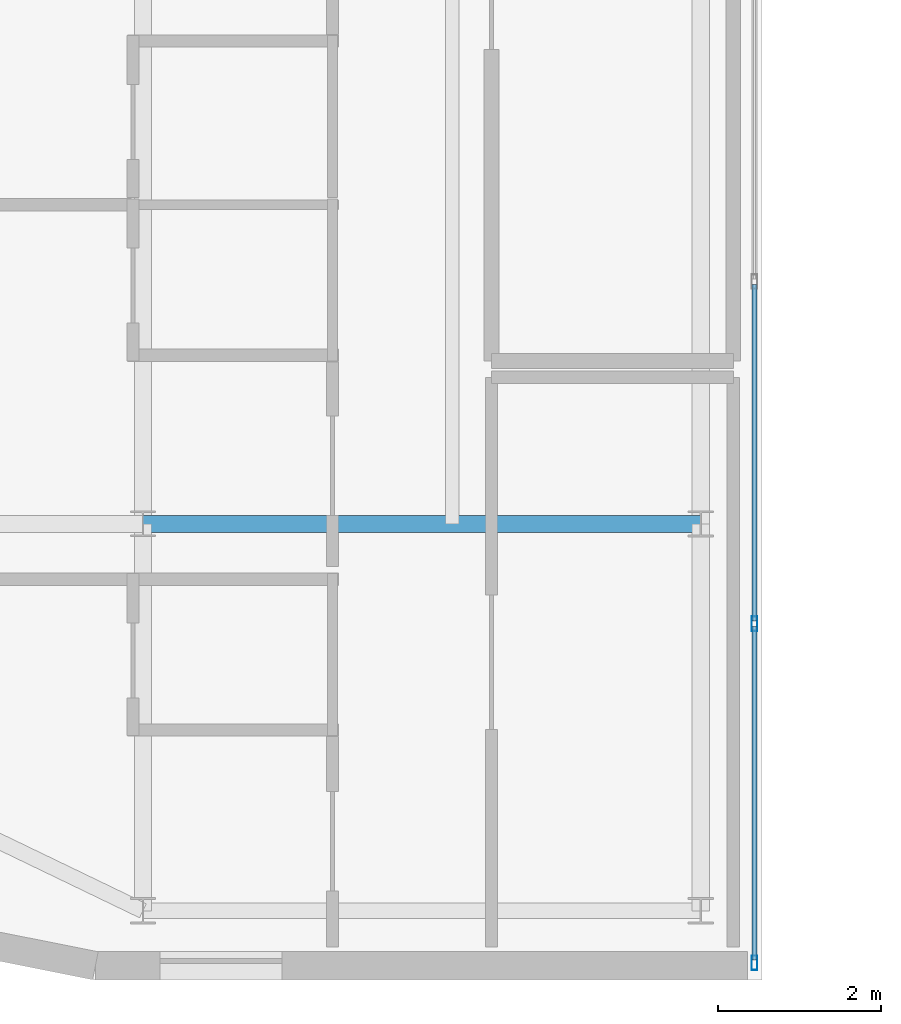
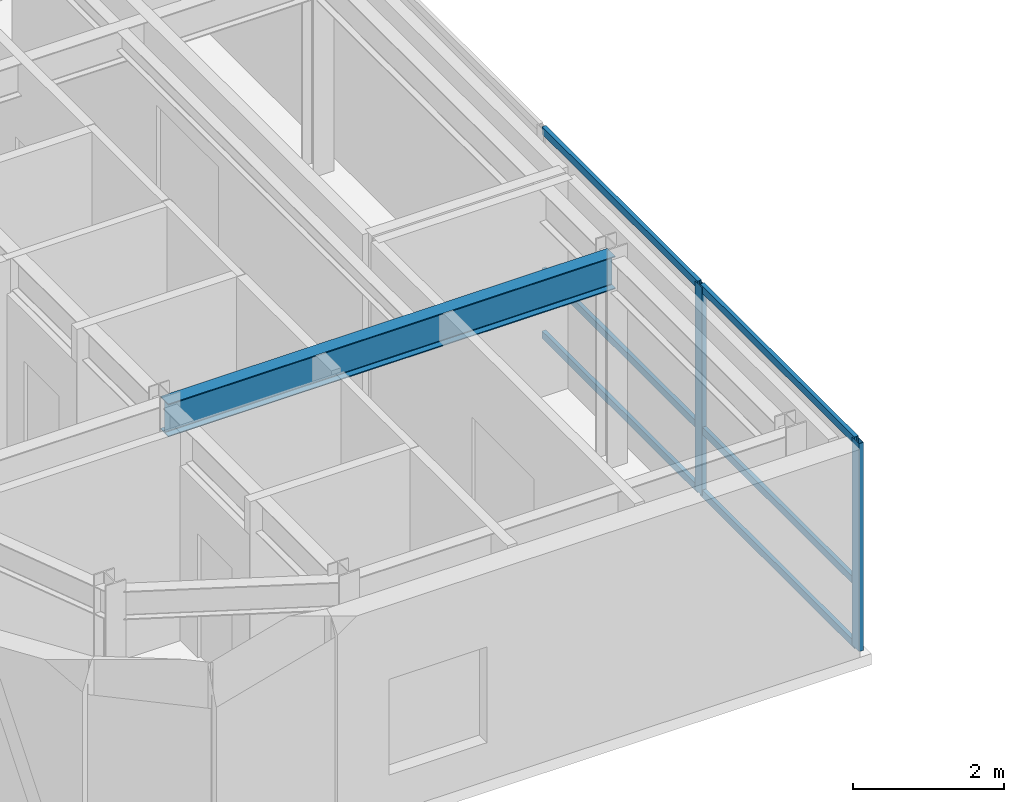
# One storey, part 4 of 18: 8 members, 1 beam, 1 element without a shape of its own.
"""IFC4 building model written with IfcOpenShell, lengths in metres."""

from ifc_helpers import new_model, si_unit, direction, frame, origin, origin_2d, place, context, subcontext, project, spatial, hollow_rectangle, i_section, extrude, source, transform, mapped, material, layer, layer_set, material_profile, profile_set, type_object, type_shapes, element, aggregate, save


model = new_model("IFC4")

# Units and contexts
model_context = context("Model", 3, precision=1e-05, world=origin(), true_north=direction((0.0, 1.0)))
body_context = subcontext(model_context, "Body", "Model", "MODEL_VIEW")
ifc_project = project(units=[si_unit("LENGTHUNIT", "METRE"), si_unit("AREAUNIT", "SQUARE_METRE"), si_unit("VOLUMEUNIT", "CUBIC_METRE"), si_unit("PLANEANGLEUNIT", "RADIAN"), si_unit("MASSUNIT", "GRAM", prefix="KILO")], contexts=[model_context])

# Site, building, storey
site_placement = place(None, origin())
site = spatial("IfcSite", under=ifc_project, at=site_placement, CompositionType="ELEMENT")
building_placement = place(site_placement, origin())
building = spatial("IfcBuilding", under=site, at=building_placement, Name="Tolvann Quenvar Hotel", CompositionType="ELEMENT")
storey_placement = place(building_placement, frame((0.0, 0.0, 245.199951171875)))
storey = spatial("IfcBuildingStorey", under=building, at=storey_placement, Name="L65", CompositionType="ELEMENT", Elevation=245.199951171875)

# Beam
ifc_material_1 = material(Name="Steel Grade 350", Category="steel")
ifc_material_profile_1 = material_profile(ifc_material_1, i_section(OverallWidth=0.208984375, OverallDepth=0.532958984375, WebThickness=0.01025390625, FlangeThickness=0.015625, FilletRadius=0.013916015625, at=origin_2d()), Name="530UB92")
ifc_profile_set_1 = profile_set([ifc_material_profile_1], Name="Steel Grade 350")
beam_type = type_object("IfcBeamType", Name="BM_GIRD_530UB92", PredefinedType="BEAM", material=ifc_profile_set_1)
shared_shape_1 = source(origin(), body_context, "Body", "SweptSolid", [
    extrude(i_section(OverallWidth=0.208984375, OverallDepth=0.532958984375, WebThickness=0.01025390625, FlangeThickness=0.015625, FilletRadius=0.013916015625, at=origin_2d()), origin(), (0.0, 0.0, 1.0), 6.849853515625),
])
type_shapes(beam_type, [shared_shape_1])
beam_placement = place(storey_placement, frame((7.60009765625, 8.199951171875, 3.103515625), z_axis=(1.0, 0.0, 0.0), x_axis=(0.0, 1.0, 0.0)))
element("IfcBeam", 1, at=beam_placement, inside=storey, type_object=beam_type, Name="BM-L65-EW-3-C3-D3", PredefinedType="BEAM", context=body_context, shape_type="MappedRepresentation", body=[
    mapped(shared_shape_1, transform((0.0, 0.0, 0.0), x_axis=(1.0, 0.0, 0.0), y_axis=(0.0, 1.0, 0.0), z_axis=(0.0, 0.0, 1.0), scale=1.0)),
])

# Curtain wall, members
ifc_material_2 = material(Name="Thermally broken anodised architectural aluminium 6063-T6 and laminated low-E glass", Category="aluminium")
ifc_layer = layer(ifc_material_2, 0.179931640625)
ifc_layer_set = layer_set([ifc_layer], Name="Thermally broken anodised architectural aluminium 6063-T6 and laminated low-E glass")
curtain_wall_type = type_object("IfcCurtainWallType", Name="CW_SYS_PORTAL_05", PredefinedType="USERDEFINED", material=ifc_layer_set)
curtain_wall_placement = place(storey_placement, origin())
curtain_wall = element("IfcCurtainWall", 2, at=curtain_wall_placement, inside=storey, type_object=curtain_wall_type, Name="Curtain Wall CW-PORTAL-05 (CWR-L65-E05)", ObjectType="UNITISED CURTAIN WALL", PredefinedType="USERDEFINED")
ifc_material_3 = material(Name="Anodised architectural aluminium 6063-T6 framing", Category="aluminium")
ifc_material_profile_2 = material_profile(ifc_material_3, hollow_rectangle(XDim=0.070068359375, YDim=0.179931640625, WallThickness=0.00390625, at=origin_2d()), Name="180x70x4RHS")
ifc_profile_set_2 = profile_set([ifc_material_profile_2], Name="Anodised architectural aluminium 6063-T6 framing")
member_type_1 = type_object("IfcMemberType", Name="CW_MULL_180x70", PredefinedType="MULLION", material=ifc_profile_set_2)
shared_shape_2 = source(origin(), body_context, "Body", "SweptSolid", [
    extrude(hollow_rectangle(XDim=0.070068359375, YDim=0.179931640625, WallThickness=0.00390625, at=origin_2d()), origin(), (0.0, 0.0, 1.0), 3.3701171875),
])
type_shapes(member_type_1, [shared_shape_2])
member_1_placement = place(storey_placement, frame((15.110107421875, 2.81005859375, 0.0), z_axis=(0.0, 0.0, 1.0), x_axis=(-1.0, 0.0, 0.0)))
member_1 = element("IfcMember", 3, at=member_1_placement, type_object=member_type_1, Name="CW-PORTAL-05 mullion 1", PredefinedType="MULLION", context=body_context, shape_type="MappedRepresentation", body=[
    mapped(shared_shape_2, transform((0.0, 0.0, 0.0), x_axis=(1.0, 0.0, 0.0), y_axis=(0.0, 1.0, 0.0), z_axis=(0.0, 0.0, 1.0), scale=1.0)),
])
member_2_placement = place(storey_placement, frame((15.110107421875, 6.97509765625, 0.0), z_axis=(0.0, 0.0, 1.0), x_axis=(-1.0, 0.0, 0.0)))
member_2 = element("IfcMember", 4, at=member_2_placement, type_object=member_type_1, Name="CW-PORTAL-05 mullion 2", PredefinedType="MULLION", context=body_context, shape_type="MappedRepresentation", body=[
    mapped(shared_shape_2, transform((0.0, 0.0, 0.0), x_axis=(1.0, 0.0, 0.0), y_axis=(0.0, 1.0, 0.0), z_axis=(0.0, 0.0, 1.0), scale=1.0)),
])
ifc_material_profile_3 = material_profile(ifc_material_3, hollow_rectangle(XDim=0.06005859375, YDim=0.1201171875, WallThickness=0.00341796875, at=origin_2d()), Name="120x60x3.5RHS")
ifc_profile_set_3 = profile_set([ifc_material_profile_3], Name="Anodised architectural aluminium 6063-T6 framing")
member_type_2 = type_object("IfcMemberType", Name="CW_TRAN_120x60", PredefinedType="USERDEFINED", material=ifc_profile_set_3)
shared_shape_3 = source(origin(), body_context, "Body", "SweptSolid", [
    extrude(hollow_rectangle(XDim=0.06005859375, YDim=0.1201171875, WallThickness=0.00341796875, at=origin_2d()), origin(), (0.0, 0.0, 1.0), 4.094970703125),
])
member_3_placement = place(storey_placement, frame((15.110107421875, 2.844970703125, 0.030029296875), z_axis=(0.0, 1.0, 0.0), x_axis=(-1.0, 0.0, 0.0)))
member_3 = element("IfcMember", 5, at=member_3_placement, type_object=member_type_2, Name="CW-PORTAL-05 transom 1.1", ObjectType="TRANSOM", PredefinedType="USERDEFINED", context=body_context, shape_type="MappedRepresentation", body=[
    mapped(shared_shape_3, transform((0.0, 0.0, 0.0), x_axis=(1.0, 0.0, 0.0), y_axis=(0.0, 1.0, 0.0), z_axis=(0.0, 0.0, 1.0), scale=1.0)),
])
member_4_placement = place(storey_placement, frame((15.110107421875, 2.844970703125, 1.050048828125), z_axis=(0.0, 1.0, 0.0), x_axis=(-1.0, 0.0, 0.0)))
member_4 = element("IfcMember", 6, at=member_4_placement, type_object=member_type_2, Name="CW-PORTAL-05 transom 1.2", ObjectType="TRANSOM", PredefinedType="USERDEFINED", context=body_context, shape_type="MappedRepresentation", body=[
    mapped(shared_shape_3, transform((0.0, 0.0, 0.0), x_axis=(1.0, 0.0, 0.0), y_axis=(0.0, 1.0, 0.0), z_axis=(0.0, 0.0, 1.0), scale=1.0)),
])
member_5_placement = place(storey_placement, frame((15.110107421875, 2.844970703125, 3.340087890625), z_axis=(0.0, 1.0, 0.0), x_axis=(-1.0, 0.0, 0.0)))
member_5 = element("IfcMember", 7, at=member_5_placement, type_object=member_type_2, Name="CW-PORTAL-05 transom 1.3", ObjectType="TRANSOM", PredefinedType="USERDEFINED", context=body_context, shape_type="MappedRepresentation", body=[
    mapped(shared_shape_3, transform((0.0, 0.0, 0.0), x_axis=(1.0, 0.0, 0.0), y_axis=(0.0, 1.0, 0.0), z_axis=(0.0, 0.0, 1.0), scale=1.0)),
])
shared_shape_4 = source(origin(), body_context, "Body", "SweptSolid", [
    extrude(hollow_rectangle(XDim=0.06005859375, YDim=0.1201171875, WallThickness=0.00341796875, at=origin_2d()), origin(), (0.0, 0.0, 1.0), 4.1298828125),
])
type_shapes(member_type_2, [shared_shape_3, shared_shape_4])
member_6_placement = place(storey_placement, frame((15.110107421875, 7.010009765625, 0.030029296875), z_axis=(0.0, 1.0, 0.0), x_axis=(-1.0, 0.0, 0.0)))
member_6 = element("IfcMember", 8, at=member_6_placement, type_object=member_type_2, Name="CW-PORTAL-05 transom 2.1", ObjectType="TRANSOM", PredefinedType="USERDEFINED", context=body_context, shape_type="MappedRepresentation", body=[
    mapped(shared_shape_4, transform((0.0, 0.0, 0.0), x_axis=(1.0, 0.0, 0.0), y_axis=(0.0, 1.0, 0.0), z_axis=(0.0, 0.0, 1.0), scale=1.0)),
])
member_7_placement = place(storey_placement, frame((15.110107421875, 7.010009765625, 1.050048828125), z_axis=(0.0, 1.0, 0.0), x_axis=(-1.0, 0.0, 0.0)))
member_7 = element("IfcMember", 9, at=member_7_placement, type_object=member_type_2, Name="CW-PORTAL-05 transom 2.2", ObjectType="TRANSOM", PredefinedType="USERDEFINED", context=body_context, shape_type="MappedRepresentation", body=[
    mapped(shared_shape_4, transform((0.0, 0.0, 0.0), x_axis=(1.0, 0.0, 0.0), y_axis=(0.0, 1.0, 0.0), z_axis=(0.0, 0.0, 1.0), scale=1.0)),
])
member_8_placement = place(storey_placement, frame((15.110107421875, 7.010009765625, 3.340087890625), z_axis=(0.0, 1.0, 0.0), x_axis=(-1.0, 0.0, 0.0)))
member_8 = element("IfcMember", 10, at=member_8_placement, type_object=member_type_2, Name="CW-PORTAL-05 transom 2.3", ObjectType="TRANSOM", PredefinedType="USERDEFINED", context=body_context, shape_type="MappedRepresentation", body=[
    mapped(shared_shape_4, transform((0.0, 0.0, 0.0), x_axis=(1.0, 0.0, 0.0), y_axis=(0.0, 1.0, 0.0), z_axis=(0.0, 0.0, 1.0), scale=1.0)),
])
aggregate(curtain_wall, [member_1, member_2, member_3, member_4, member_5, member_6, member_7, member_8])

save(model, "model.ifc")
